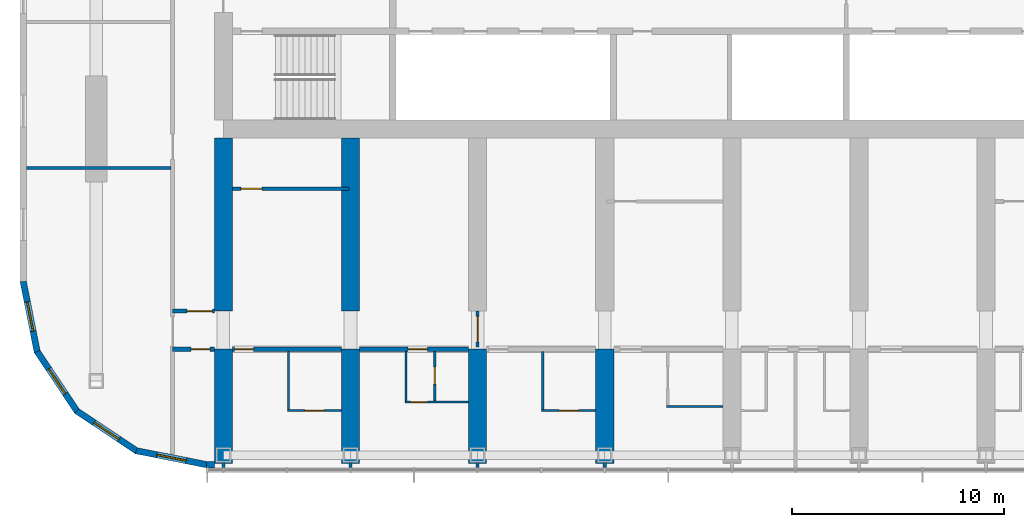
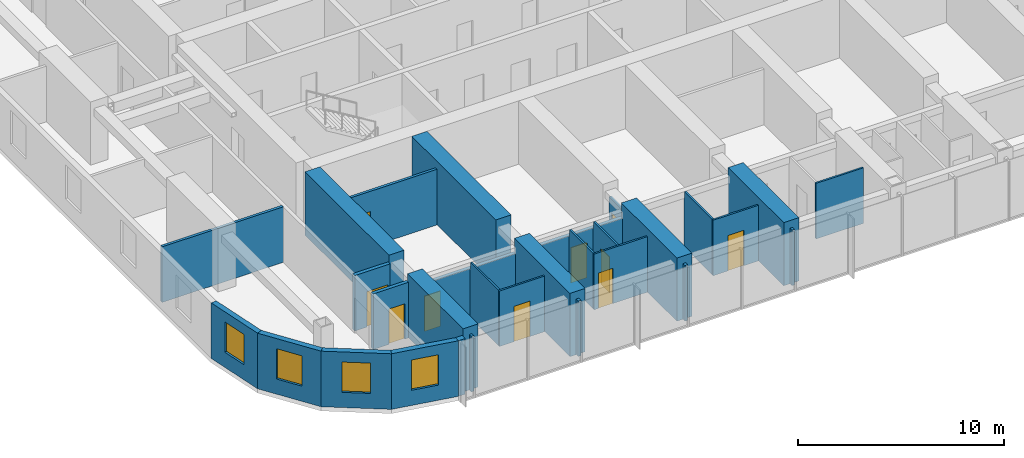
# One storey, part 10 of 23: 30 walls, 10 doors, 4 windows, 14 openings.
"""IFC4 building model written with IfcOpenShell, lengths in metres."""

from ifc_helpers import new_model, si_unit, direction, frame, frame_2d, origin, place, context, subcontext, project, spatial, polyline, rectangle, outline, extrude, material, layer, layer_set, type_object, element, fill, save


model = new_model("IFC4")

# Units and contexts
model_context = context("Model", 3, precision=1e-05, world=origin(), true_north=direction((0.0, 1.0)))
body_context = subcontext(model_context, "Body", "Model", "MODEL_VIEW")
ifc_project = project(units=[si_unit("LENGTHUNIT", "METRE"), si_unit("AREAUNIT", "SQUARE_METRE"), si_unit("VOLUMEUNIT", "CUBIC_METRE"), si_unit("PLANEANGLEUNIT", "RADIAN"), si_unit("MASSUNIT", "GRAM", prefix="KILO")], contexts=[model_context])

# Site, building, storey
site_placement = place(None, origin())
site = spatial("IfcSite", under=ifc_project, at=site_placement, CompositionType="ELEMENT")
building_placement = place(site_placement, origin())
building = spatial("IfcBuilding", under=site, at=building_placement, Name="Orbita Commons", CompositionType="ELEMENT")
storey_placement = place(building_placement, frame((0.0, 0.0, 174.85009765625)))
storey = spatial("IfcBuildingStorey", under=building, at=storey_placement, Name="L43", CompositionType="ELEMENT", Elevation=174.85009765625)

# Wall, opening, door
ifc_material_1 = material(Name="Concrete blockwork", Category="masonry")
ifc_layer_1 = layer(ifc_material_1, 0.199951171875)
ifc_layer_set_1 = layer_set([ifc_layer_1], Name="Concrete blockwork")
wall_type_1 = type_object("IfcWallType", Name="Corridor wall 200 blockwork", PredefinedType="SOLIDWALL", material=ifc_layer_set_1)
wall_1_placement = place(storey_placement, frame((15.60009765625, 15.39990234375, 0.0), z_axis=(0.0, 0.0, 1.0), x_axis=(1.0, 0.0, 0.0)))
wall_1 = element("IfcWall", 1, at=wall_1_placement, inside=storey, type_object=wall_type_1, Name="Corridor wall 200 blockwork L43", PredefinedType="SOLIDWALL", context=body_context, shape_type="SweptSolid", body=[
    extrude(rectangle(XDim=1.974853515625, YDim=0.199951171875, at=frame_2d((0.9873046875, 0.0))), origin(), (0.0, 0.0, 1.0), 3.2998046875),
])
opening_1_placement = place(wall_1_placement, frame((0.875, 0.0, 0.0)))
opening_1 = element("IfcOpeningElement", 2, at=opening_1_placement, cuts=wall_1, Name="Opening D05", PredefinedType="OPENING", context=body_context, shape_type="SweptSolid", body=[
    extrude(rectangle(XDim=0.89990234375, YDim=2.10009765625, at=frame_2d((0.449951171875, 1.050048828125))), frame((0.0, 0.10986328125, 0.0), z_axis=(0.0, -1.0, 0.0), x_axis=(1.0, 0.0, 0.0)), (0.0, 0.0, 1.0), 0.219970703125),
])
ifc_material_2 = material(Name="Steel-faced fire door leaf", Category="steel")
door_type_1 = type_object("IfcDoorType", Name="Service door 20 min 900x2100", OperationType="SINGLE_SWING_LEFT", PredefinedType="DOOR", material=ifc_material_2)
door_1_placement = place(opening_1_placement, origin())
door_1 = element("IfcDoor", 3, at=door_1_placement, inside=storey, type_object=door_type_1, Name="Linen store L43-KWS door", OperationType="SINGLE_SWING_LEFT", OverallHeight=2.10009765625, OverallWidth=0.89990234375, PredefinedType="DOOR", context=body_context, shape_type="SweptSolid", body=[
    extrude(rectangle(XDim=0.89990234375, YDim=2.10009765625, at=frame_2d((0.449951171875, 1.050048828125))), frame((0.0, 0.02490234375, 0.0), z_axis=(0.0, -1.0, 0.0), x_axis=(1.0, 0.0, 0.0)), (0.0, 0.0, 1.0), 0.050048828125),
])
fill(opening_1, door_1)

wall_2_placement = place(storey_placement, frame((18.425048828125, 15.39990234375, 0.0), z_axis=(0.0, 0.0, 1.0), x_axis=(1.0, 0.0, 0.0)))
wall_2 = element("IfcWall", 4, at=wall_2_placement, inside=storey, type_object=wall_type_1, Name="Corridor wall 200 blockwork L43", PredefinedType="SOLIDWALL", context=body_context, shape_type="SweptSolid", body=[
    extrude(outline(polyline([(0.0, 0.0), (5.14990234375, 0.0), (5.14990234375, 2.89990234375), (0.0, 2.89990234375), (0.0, 0.0)])), frame((0.0, 0.10009765625, 0.0), z_axis=(0.0, -1.0, 0.0), x_axis=(1.0, 0.0, 0.0)), (0.0, 0.0, 1.0), 0.199951171875),
])
opening_2_placement = place(wall_2_placement, frame((0.10009765625, 0.0, 0.0)))
opening_2 = element("IfcOpeningElement", 5, at=opening_2_placement, cuts=wall_2, Name="Opening D11", PredefinedType="OPENING", context=body_context, shape_type="SweptSolid", body=[
    extrude(rectangle(XDim=0.89990234375, YDim=2.10009765625, at=frame_2d((0.449951171875, 1.050048828125))), frame((0.0, 0.10986328125, 0.0), z_axis=(0.0, -1.0, 0.0), x_axis=(1.0, 0.0, 0.0)), (0.0, 0.0, 1.0), 0.219970703125),
])
ifc_material_3 = material(Name="Steel-faced fire door leaf", Category="steel")
door_type_2 = type_object("IfcDoorType", Name="Corridor door 20 min 900x2100", OperationType="SINGLE_SWING_LEFT", PredefinedType="DOOR", material=ifc_material_3)
door_2_placement = place(opening_2_placement, origin())
door_2 = element("IfcDoor", 6, at=door_2_placement, inside=storey, type_object=door_type_2, Name="Twin room L43-S00 door", OperationType="SINGLE_SWING_LEFT", OverallHeight=2.10009765625, OverallWidth=0.89990234375, PredefinedType="DOOR", context=body_context, shape_type="SweptSolid", body=[
    extrude(rectangle(XDim=0.89990234375, YDim=2.10009765625, at=frame_2d((0.449951171875, 1.050048828125))), frame((0.0, 0.02490234375, 0.0), z_axis=(0.0, -1.0, 0.0), x_axis=(1.0, 0.0, 0.0)), (0.0, 0.0, 1.0), 0.050048828125),
])
fill(opening_2, door_2)

wall_3_placement = place(storey_placement, frame((24.425048828125, 15.39990234375, 0.0), z_axis=(0.0, 0.0, 1.0), x_axis=(1.0, 0.0, 0.0)))
wall_3 = element("IfcWall", 7, at=wall_3_placement, inside=storey, type_object=wall_type_1, Name="Corridor wall 200 blockwork L43", PredefinedType="SOLIDWALL", context=body_context, shape_type="SweptSolid", body=[
    extrude(outline(polyline([(0.0, 0.0), (5.14990234375, 0.0), (5.14990234375, 2.89990234375), (0.0, 2.89990234375), (0.0, 0.0)])), frame((0.0, 0.10009765625, 0.0), z_axis=(0.0, -1.0, 0.0), x_axis=(1.0, 0.0, 0.0)), (0.0, 0.0, 1.0), 0.199951171875),
])
opening_3_placement = place(wall_3_placement, frame((2.300048828125, 0.0, 0.0)))
opening_3 = element("IfcOpeningElement", 8, at=opening_3_placement, cuts=wall_3, Name="Opening D11", PredefinedType="OPENING", context=body_context, shape_type="SweptSolid", body=[
    extrude(rectangle(XDim=0.89990234375, YDim=2.10009765625, at=frame_2d((0.449951171875, 1.050048828125))), frame((0.0, 0.10986328125, 0.0), z_axis=(0.0, -1.0, 0.0), x_axis=(1.0, 0.0, 0.0)), (0.0, 0.0, 1.0), 0.219970703125),
])
door_3_placement = place(opening_3_placement, origin())
door_3 = element("IfcDoor", 9, at=door_3_placement, inside=storey, type_object=door_type_2, Name="Studio flat L43-S02 entrance door", OperationType="SINGLE_SWING_LEFT", OverallHeight=2.10009765625, OverallWidth=0.89990234375, PredefinedType="DOOR", context=body_context, shape_type="SweptSolid", body=[
    extrude(rectangle(XDim=0.89990234375, YDim=2.10009765625, at=frame_2d((0.449951171875, 1.050048828125))), frame((0.0, 0.02490234375, 0.0), z_axis=(0.0, -1.0, 0.0), x_axis=(1.0, 0.0, 0.0)), (0.0, 0.0, 1.0), 0.050048828125),
])
fill(opening_3, door_3)

ifc_material_4 = material(Name="Hollow concrete block 200", Category="concrete")
ifc_layer_2 = layer(ifc_material_4, 0.199951171875)
ifc_layer_set_2 = layer_set([ifc_layer_2], Name="Hollow concrete block 200")
wall_type_2 = type_object("IfcWallType", Name="Corridor wall 200 hollow concrete block", PredefinedType="SOLIDWALL", material=ifc_layer_set_2)
wall_4_placement = place(storey_placement, frame((15.60009765625, 17.199951171875, 0.0), z_axis=(0.0, 0.0, 1.0), x_axis=(1.0, 0.0, 0.0)))
wall_4 = element("IfcWall", 10, at=wall_4_placement, inside=storey, type_object=wall_type_2, Name="Corridor wall 200 hollow concrete block L43", PredefinedType="SOLIDWALL", context=body_context, shape_type="SweptSolid", body=[
    extrude(rectangle(XDim=1.974853515625, YDim=0.199951171875, at=frame_2d((0.9873046875, 0.0))), origin(), (0.0, 0.0, 1.0), 3.2998046875),
])
opening_4_placement = place(wall_4_placement, frame((0.675048828125, 0.0, 0.0)))
opening_4 = element("IfcOpeningElement", 11, at=opening_4_placement, cuts=wall_4, Name="Opening D12", PredefinedType="OPENING", context=body_context, shape_type="SweptSolid", body=[
    extrude(rectangle(XDim=1.199951171875, YDim=2.10009765625, at=frame_2d((0.60009765625, 1.050048828125))), frame((0.0, 0.10986328125, 0.0), z_axis=(0.0, -1.0, 0.0), x_axis=(1.0, 0.0, 0.0)), (0.0, 0.0, 1.0), 0.219970703125),
])
ifc_material_5 = material(Name="Steel-faced fire door leaf", Category="steel")
door_type_3 = type_object("IfcDoorType", Name="Double corridor door 20 min 1200x2100", OperationType="DOUBLE_DOOR_SINGLE_SWING", PredefinedType="DOOR", material=ifc_material_5)
door_4_placement = place(opening_4_placement, origin())
door_4 = element("IfcDoor", 12, at=door_4_placement, inside=storey, type_object=door_type_3, Name="Cross corridor doors", OperationType="DOUBLE_DOOR_SINGLE_SWING", OverallHeight=2.10009765625, OverallWidth=1.199951171875, PredefinedType="DOOR", context=body_context, shape_type="SweptSolid", body=[
    extrude(rectangle(XDim=1.199951171875, YDim=2.10009765625, at=frame_2d((0.60009765625, 1.050048828125))), frame((0.0, 0.02490234375, 0.0), z_axis=(0.0, -1.0, 0.0), x_axis=(1.0, 0.0, 0.0)), (0.0, 0.0, 1.0), 0.050048828125),
])
fill(opening_4, door_4)

# Walls
ifc_material_6 = material(Name="Concrete C50/60", Category="concrete")
ifc_layer_3 = layer(ifc_material_6, 0.85009765625)
ifc_layer_set_3 = layer_set([ifc_layer_3], Name="Concrete C50/60")
wall_type_3 = type_object("IfcWallType", Name="Cross wall 850 C50/60", PredefinedType="SHEAR", material=ifc_layer_set_3)
wall_5_placement = place(storey_placement, frame((18.0, 10.0, 0.0), z_axis=(0.0, 0.0, 1.0), x_axis=(0.0, 1.0, 0.0)))
element("IfcWall", 13, at=wall_5_placement, inside=storey, type_object=wall_type_3, Name="Cross wall 4 south outer L43", PredefinedType="SHEAR", context=body_context, shape_type="SweptSolid", body=[
    extrude(rectangle(XDim=5.39990234375, YDim=0.85009765625, at=frame_2d((2.699951171875, 0.0))), origin(), (0.0, 0.0, 1.0), 3.75),
])
wall_6_placement = place(storey_placement, frame((18.0, 17.199951171875, 0.0), z_axis=(0.0, 0.0, 1.0), x_axis=(0.0, 1.0, 0.0)))
element("IfcWall", 14, at=wall_6_placement, inside=storey, type_object=wall_type_3, Name="Cross wall 4 south inner L43", PredefinedType="SHEAR", context=body_context, shape_type="SweptSolid", body=[
    extrude(rectangle(XDim=8.175048828125, YDim=0.85009765625, at=frame_2d((4.08740234375, 0.0))), origin(), (0.0, 0.0, 1.0), 3.75),
])
wall_7_placement = place(storey_placement, frame((24.0, 10.0, 0.0), z_axis=(0.0, 0.0, 1.0), x_axis=(0.0, 1.0, 0.0)))
element("IfcWall", 15, at=wall_7_placement, inside=storey, type_object=wall_type_3, Name="Cross wall 5 south outer L43", PredefinedType="SHEAR", context=body_context, shape_type="SweptSolid", body=[
    extrude(rectangle(XDim=5.39990234375, YDim=0.85009765625, at=frame_2d((2.699951171875, 0.0))), origin(), (0.0, 0.0, 1.0), 3.75),
])
wall_8_placement = place(storey_placement, frame((24.0, 17.199951171875, 0.0), z_axis=(0.0, 0.0, 1.0), x_axis=(0.0, 1.0, 0.0)))
element("IfcWall", 16, at=wall_8_placement, inside=storey, type_object=wall_type_3, Name="Cross wall 5 south inner L43", PredefinedType="SHEAR", context=body_context, shape_type="SweptSolid", body=[
    extrude(rectangle(XDim=8.175048828125, YDim=0.85009765625, at=frame_2d((4.08740234375, 0.0))), origin(), (0.0, 0.0, 1.0), 3.75),
])
for number, where, z_axis, x_axis, name in (
    (17, (30.0, 10.0, 0.0), (0.0, 0.0, 1.0), (0.0, 1.0, 0.0), "Cross wall 6 south outer L43"),
    (18, (36.0, 10.0, 0.0), (0.0, 0.0, 1.0), (0.0, 1.0, 0.0), "Cross wall 7 south outer L43"),
):
    element("IfcWall", number, at=place(storey_placement, frame(where, z_axis=z_axis, x_axis=x_axis)), inside=storey, type_object=wall_type_3, Name=name, PredefinedType="SHEAR", context=body_context, shape_type="SweptSolid", body=[
        extrude(rectangle(XDim=5.39990234375, YDim=0.85009765625, at=frame_2d((2.699951171875, 0.0))), origin(), (0.0, 0.0, 1.0), 3.75),
    ])

# Wall, opening, door
ifc_material_7 = material(Name="Moisture-resistant plasterboard on steel studs", Category="steel")
ifc_layer_4 = layer(ifc_material_7, 0.10009765625)
ifc_layer_set_4 = layer_set([ifc_layer_4], Name="Moisture-resistant plasterboard on steel studs")
wall_type_4 = type_object("IfcWallType", Name="En-suite partition 100", PredefinedType="PARTITIONING", material=ifc_layer_set_4)
wall_9_placement = place(storey_placement, frame((23.574951171875, 12.5, 0.0), z_axis=(0.0, 0.0, 1.0), x_axis=(-1.0, 0.0, 0.0)))
wall_9 = element("IfcWall", 19, at=wall_9_placement, inside=storey, type_object=wall_type_4, Name="En-suite partition 100 L43", PredefinedType="PARTITIONING", context=body_context, shape_type="SweptSolid", body=[
    extrude(rectangle(XDim=2.550048828125, YDim=0.10009765625, at=frame_2d((1.27490234375, 0.0))), origin(), (0.0, 0.0, 1.0), 3.2998046875),
])
opening_5_placement = place(wall_9_placement, frame((0.824951171875, 0.0, 0.0)))
opening_5 = element("IfcOpeningElement", 20, at=opening_5_placement, cuts=wall_9, Name="Opening D09", PredefinedType="OPENING", context=body_context, shape_type="SweptSolid", body=[
    extrude(rectangle(XDim=0.89990234375, YDim=2.10009765625, at=frame_2d((0.449951171875, 1.050048828125))), frame((0.0, 0.06005859375, 0.0), z_axis=(0.0, -1.0, 0.0), x_axis=(1.0, 0.0, 0.0)), (0.0, 0.0, 1.0), 0.1201171875),
])
ifc_material_8 = material(Name="Laminated timber door leaf", Category="wood")
door_type_4 = type_object("IfcDoorType", Name="En-suite door 900x2100", OperationType="SINGLE_SWING_RIGHT", PredefinedType="DOOR", material=ifc_material_8)
door_5_placement = place(opening_5_placement, origin())
door_5 = element("IfcDoor", 21, at=door_5_placement, inside=storey, type_object=door_type_4, Name="En-suite L43-S00 door", OperationType="SINGLE_SWING_RIGHT", OverallHeight=2.10009765625, OverallWidth=0.89990234375, PredefinedType="DOOR", context=body_context, shape_type="SweptSolid", body=[
    extrude(rectangle(XDim=0.89990234375, YDim=2.10009765625, at=frame_2d((0.449951171875, 1.050048828125))), frame((0.0, 0.02490234375, 0.0), z_axis=(0.0, -1.0, 0.0), x_axis=(1.0, 0.0, 0.0)), (0.0, 0.0, 1.0), 0.050048828125),
])
fill(opening_5, door_5)

# Wall
wall_10_placement = place(storey_placement, frame((21.074951171875, 12.550048828125, 0.0), z_axis=(0.0, 0.0, 1.0), x_axis=(0.0, 1.0, 0.0)))
element("IfcWall", 22, at=wall_10_placement, inside=storey, type_object=wall_type_4, Name="En-suite partition 100 L43", PredefinedType="PARTITIONING", context=body_context, shape_type="SweptSolid", body=[
    extrude(outline(polyline([(0.0, 0.0), (2.75, 0.0), (2.75, 2.89990234375), (2.701904296875, 2.89990234375), (2.699951171875, 3.2998046875), (0.0, 3.2998046875), (0.0, 0.0)])), frame((0.0, 0.050048828125, 0.0), z_axis=(0.0, -1.0, 0.0), x_axis=(1.0, 0.0, 0.0)), (0.0, 0.0, 1.0), 0.10009765625),
])

# Wall, opening, door
wall_11_placement = place(storey_placement, frame((29.574951171875, 12.89990234375, 0.0), z_axis=(0.0, 0.0, 1.0), x_axis=(-1.0, 0.0, 0.0)))
wall_11 = element("IfcWall", 23, at=wall_11_placement, inside=storey, type_object=wall_type_4, Name="En-suite partition 100 L43", PredefinedType="PARTITIONING", context=body_context, shape_type="SweptSolid", body=[
    extrude(rectangle(XDim=3.0, YDim=0.10009765625, at=frame_2d((1.5, 0.0))), origin(), (0.0, 0.0, 1.0), 3.2998046875),
])
opening_6_placement = place(wall_11_placement, frame((1.949951171875, 0.0, 0.0)))
opening_6 = element("IfcOpeningElement", 24, at=opening_6_placement, cuts=wall_11, Name="Opening D16", PredefinedType="OPENING", context=body_context, shape_type="SweptSolid", body=[
    extrude(rectangle(XDim=0.800048828125, YDim=2.10009765625, at=frame_2d((0.39990234375, 1.050048828125))), frame((0.0, 0.06005859375, 0.0), z_axis=(0.0, -1.0, 0.0), x_axis=(1.0, 0.0, 0.0)), (0.0, 0.0, 1.0), 0.1201171875),
])
ifc_material_9 = material(Name="Laminated timber door leaf", Category="wood")
door_type_5 = type_object("IfcDoorType", Name="En-suite door 800x2100", OperationType="SINGLE_SWING_RIGHT", PredefinedType="DOOR", material=ifc_material_9)
door_6_placement = place(opening_6_placement, origin())
door_6 = element("IfcDoor", 25, at=door_6_placement, inside=storey, type_object=door_type_5, Name="Studio flat L43-S02 door", OperationType="SINGLE_SWING_RIGHT", OverallHeight=2.10009765625, OverallWidth=0.800048828125, PredefinedType="DOOR", context=body_context, shape_type="SweptSolid", body=[
    extrude(rectangle(XDim=0.800048828125, YDim=2.10009765625, at=frame_2d((0.39990234375, 1.050048828125))), frame((0.0, 0.02490234375, 0.0), z_axis=(0.0, -1.0, 0.0), x_axis=(1.0, 0.0, 0.0)), (0.0, 0.0, 1.0), 0.050048828125),
])
fill(opening_6, door_6)

# Wall
wall_12_placement = place(storey_placement, frame((26.625, 12.949951171875, 0.0), z_axis=(0.0, 0.0, 1.0), x_axis=(0.0, 1.0, 0.0)))
element("IfcWall", 26, at=wall_12_placement, inside=storey, type_object=wall_type_4, Name="En-suite partition 100 L43", PredefinedType="PARTITIONING", context=body_context, shape_type="SweptSolid", body=[
    extrude(outline(polyline([(0.0, 0.0), (2.35009765625, 0.0), (2.35009765625, 2.89990234375), (2.302001953125, 2.89990234375), (2.300048828125, 3.2998046875), (0.0, 3.2998046875), (0.0, 0.0)])), frame((0.0, 0.050048828125, 0.0), z_axis=(0.0, -1.0, 0.0), x_axis=(1.0, 0.0, 0.0)), (0.0, 0.0, 1.0), 0.10009765625),
])

# Wall, opening, door
wall_13_placement = place(storey_placement, frame((27.97509765625, 12.949951171875, 0.0), z_axis=(0.0, 0.0, 1.0), x_axis=(0.0, 1.0, 0.0)))
wall_13 = element("IfcWall", 27, at=wall_13_placement, inside=storey, type_object=wall_type_4, Name="En-suite partition 100 L43", PredefinedType="PARTITIONING", context=body_context, shape_type="SweptSolid", body=[
    extrude(outline(polyline([(0.0, 0.0), (2.35009765625, 0.0), (2.35009765625, 2.89990234375), (2.302001953125, 2.89990234375), (2.300048828125, 3.2998046875), (0.0, 3.2998046875), (0.0, 0.0)])), frame((0.0, 0.050048828125, 0.0), z_axis=(0.0, -1.0, 0.0), x_axis=(1.0, 0.0, 0.0)), (0.0, 0.0, 1.0), 0.10009765625),
])
opening_7_placement = place(wall_13_placement, frame((0.800048828125, 0.0, 0.0)))
opening_7 = element("IfcOpeningElement", 28, at=opening_7_placement, cuts=wall_13, Name="Opening D16", PredefinedType="OPENING", context=body_context, shape_type="SweptSolid", body=[
    extrude(rectangle(XDim=0.800048828125, YDim=2.10009765625, at=frame_2d((0.39990234375, 1.050048828125))), frame((0.0, 0.06005859375, 0.0), z_axis=(0.0, -1.0, 0.0), x_axis=(1.0, 0.0, 0.0)), (0.0, 0.0, 1.0), 0.1201171875),
])
door_7_placement = place(opening_7_placement, origin())
door_7 = element("IfcDoor", 29, at=door_7_placement, inside=storey, type_object=door_type_5, Name="Studio flat shower room L43-S02 door", OperationType="SINGLE_SWING_RIGHT", OverallHeight=2.10009765625, OverallWidth=0.800048828125, PredefinedType="DOOR", context=body_context, shape_type="SweptSolid", body=[
    extrude(rectangle(XDim=0.800048828125, YDim=2.10009765625, at=frame_2d((0.39990234375, 1.050048828125))), frame((0.0, 0.02490234375, 0.0), z_axis=(0.0, -1.0, 0.0), x_axis=(1.0, 0.0, 0.0)), (0.0, 0.0, 1.0), 0.050048828125),
])
fill(opening_7, door_7)

wall_14_placement = place(storey_placement, frame((35.574951171875, 12.5, 0.0), z_axis=(0.0, 0.0, 1.0), x_axis=(-1.0, 0.0, 0.0)))
wall_14 = element("IfcWall", 30, at=wall_14_placement, inside=storey, type_object=wall_type_4, Name="En-suite partition 100 L43", PredefinedType="PARTITIONING", context=body_context, shape_type="SweptSolid", body=[
    extrude(rectangle(XDim=2.550048828125, YDim=0.10009765625, at=frame_2d((1.27490234375, 0.0))), origin(), (0.0, 0.0, 1.0), 3.2998046875),
])
opening_8_placement = place(wall_14_placement, frame((0.824951171875, 0.0, 0.0)))
opening_8 = element("IfcOpeningElement", 31, at=opening_8_placement, cuts=wall_14, Name="Opening D09", PredefinedType="OPENING", context=body_context, shape_type="SweptSolid", body=[
    extrude(rectangle(XDim=0.89990234375, YDim=2.10009765625, at=frame_2d((0.449951171875, 1.050048828125))), frame((0.0, 0.06005859375, 0.0), z_axis=(0.0, -1.0, 0.0), x_axis=(1.0, 0.0, 0.0)), (0.0, 0.0, 1.0), 0.1201171875),
])
door_8_placement = place(opening_8_placement, origin())
door_8 = element("IfcDoor", 32, at=door_8_placement, inside=storey, type_object=door_type_4, Name="En-suite L43-S04 door", OperationType="SINGLE_SWING_RIGHT", OverallHeight=2.10009765625, OverallWidth=0.89990234375, PredefinedType="DOOR", context=body_context, shape_type="SweptSolid", body=[
    extrude(rectangle(XDim=0.89990234375, YDim=2.10009765625, at=frame_2d((0.449951171875, 1.050048828125))), frame((0.0, 0.02490234375, 0.0), z_axis=(0.0, -1.0, 0.0), x_axis=(1.0, 0.0, 0.0)), (0.0, 0.0, 1.0), 0.050048828125),
])
fill(opening_8, door_8)

# Walls
wall_15_placement = place(storey_placement, frame((33.074951171875, 12.550048828125, 0.0), z_axis=(0.0, 0.0, 1.0), x_axis=(0.0, 1.0, 0.0)))
element("IfcWall", 33, at=wall_15_placement, inside=storey, type_object=wall_type_4, Name="En-suite partition 100 L43", PredefinedType="PARTITIONING", context=body_context, shape_type="SweptSolid", body=[
    extrude(outline(polyline([(0.0, 0.0), (2.75, 0.0), (2.75, 2.89990234375), (2.701904296875, 2.89990234375), (2.699951171875, 3.2998046875), (0.0, 3.2998046875), (0.0, 0.0)])), frame((0.0, 0.050048828125, 0.0), z_axis=(0.0, -1.0, 0.0), x_axis=(1.0, 0.0, 0.0)), (0.0, 0.0, 1.0), 0.10009765625),
])
wall_16_placement = place(storey_placement, frame((38.925048828125, 12.699951171875, 0.0), z_axis=(0.0, 0.0, 1.0), x_axis=(1.0, 0.0, 0.0)))
element("IfcWall", 34, at=wall_16_placement, inside=storey, type_object=wall_type_4, Name="En-suite partition 100 L43", PredefinedType="PARTITIONING", context=body_context, shape_type="SweptSolid", body=[
    extrude(rectangle(XDim=2.64990234375, YDim=0.10009765625, at=frame_2d((1.324951171875, 0.0))), origin(), (0.0, 0.0, 1.0), 3.2998046875),
])

# Wall, opening, door
ifc_material_10 = material(Name="Gypsum plasterboard on steel studs", Category="steel")
ifc_layer_5 = layer(ifc_material_10, 0.14990234375)
ifc_layer_set_5 = layer_set([ifc_layer_5], Name="Gypsum plasterboard on steel studs")
wall_type_5 = type_object("IfcWallType", Name="Partition 150 plasterboard", PredefinedType="PARTITIONING", material=ifc_layer_set_5)
wall_17_placement = place(storey_placement, frame((18.425048828125, 22.97509765625, 0.0), z_axis=(0.0, 0.0, 1.0), x_axis=(1.0, 0.0, 0.0)))
wall_17 = element("IfcWall", 35, at=wall_17_placement, inside=storey, type_object=wall_type_5, Name="Partition 150 plasterboard L43", PredefinedType="PARTITIONING", context=body_context, shape_type="SweptSolid", body=[
    extrude(rectangle(XDim=5.5, YDim=0.14990234375, at=frame_2d((2.75, 0.0))), origin(), (0.0, 0.0, 1.0), 3.2998046875),
])
opening_9_placement = place(wall_17_placement, frame((0.39990234375, 0.0, 0.0)))
opening_9 = element("IfcOpeningElement", 36, at=opening_9_placement, cuts=wall_17, Name="Opening D18", PredefinedType="OPENING", context=body_context, shape_type="SweptSolid", body=[
    extrude(rectangle(XDim=1.0, YDim=2.10009765625, at=frame_2d((0.5, 1.050048828125))), frame((0.0, 0.0849609375, 0.0), z_axis=(0.0, -1.0, 0.0), x_axis=(1.0, 0.0, 0.0)), (0.0, 0.0, 1.0), 0.169921875),
])
ifc_material_11 = material(Name="Steel-faced fire door leaf", Category="steel")
door_type_6 = type_object("IfcDoorType", Name="Service door 20 min 1000x2100", OperationType="SINGLE_SWING_LEFT", PredefinedType="DOOR", material=ifc_material_11)
door_9_placement = place(opening_9_placement, origin())
door_9 = element("IfcDoor", 37, at=door_9_placement, inside=storey, type_object=door_type_6, Name="Cleaners store L43-BDS18 door", OperationType="SINGLE_SWING_LEFT", OverallHeight=2.10009765625, OverallWidth=1.0, PredefinedType="DOOR", context=body_context, shape_type="SweptSolid", body=[
    extrude(rectangle(XDim=1.0, YDim=2.10009765625, at=frame_2d((0.5, 1.050048828125))), frame((0.0, 0.02490234375, 0.0), z_axis=(0.0, -1.0, 0.0), x_axis=(1.0, 0.0, 0.0)), (0.0, 0.0, 1.0), 0.050048828125),
])
fill(opening_9, door_9)

wall_18_placement = place(storey_placement, frame((30.0, 15.5, 0.0), z_axis=(0.0, 0.0, 1.0), x_axis=(0.0, 1.0, 0.0)))
wall_18 = element("IfcWall", 38, at=wall_18_placement, inside=storey, type_object=wall_type_5, Name="Partition 150 plasterboard L43", PredefinedType="PARTITIONING", context=body_context, shape_type="SweptSolid", body=[
    extrude(outline(polyline([(0.0, 0.0), (1.699951171875, 0.0), (1.699951171875, 2.89990234375), (0.0, 2.89990234375), (0.0, 0.0)])), frame((0.0, 0.074951171875, 0.0), z_axis=(0.0, -1.0, 0.0), x_axis=(1.0, 0.0, 0.0)), (0.0, 0.0, 1.0), 0.14990234375),
])
opening_10_placement = place(wall_18_placement, frame((0.25, 0.0, 0.0)))
opening_10 = element("IfcOpeningElement", 39, at=opening_10_placement, cuts=wall_18, Name="Opening D12", PredefinedType="OPENING", context=body_context, shape_type="SweptSolid", body=[
    extrude(rectangle(XDim=1.199951171875, YDim=2.10009765625, at=frame_2d((0.60009765625, 1.050048828125))), frame((0.0, 0.0849609375, 0.0), z_axis=(0.0, -1.0, 0.0), x_axis=(1.0, 0.0, 0.0)), (0.0, 0.0, 1.0), 0.169921875),
])
door_10_placement = place(opening_10_placement, origin())
door_10 = element("IfcDoor", 40, at=door_10_placement, inside=storey, type_object=door_type_3, Name="Social spine south screen doors", OperationType="DOUBLE_DOOR_SINGLE_SWING", OverallHeight=2.10009765625, OverallWidth=1.199951171875, PredefinedType="DOOR", context=body_context, shape_type="SweptSolid", body=[
    extrude(rectangle(XDim=1.199951171875, YDim=2.10009765625, at=frame_2d((0.60009765625, 1.050048828125))), frame((0.0, 0.02490234375, 0.0), z_axis=(0.0, -1.0, 0.0), x_axis=(1.0, 0.0, 0.0)), (0.0, 0.0, 1.0), 0.050048828125),
])
fill(opening_10, door_10)

# Walls
wall_19_placement = place(storey_placement, frame((8.705078125, 23.9599609375, 0.0), z_axis=(0.0, 0.0, 1.0), x_axis=(1.0, 0.0, 0.0)))
element("IfcWall", 41, at=wall_19_placement, inside=storey, type_object=wall_type_5, Name="Partition 150 plasterboard L43", PredefinedType="PARTITIONING", context=body_context, shape_type="SweptSolid", body=[
    extrude(rectangle(XDim=6.81982421875, YDim=0.14990234375, at=frame_2d((3.409912109375, 0.0))), origin(), (0.0, 0.0, 1.0), 3.2998046875),
])
for number, where, z_axis, x_axis, name in (
    (42, (18.0, 10.050048828125, 0.0), (0.0, 0.0, 1.0), (0.0, -1.0, 0.0), "Partition 150 plasterboard L43"),
    (43, (24.0, 10.050048828125, 0.0), (0.0, 0.0, 1.0), (0.0, -1.0, 0.0), "Partition 150 plasterboard L43"),
    (44, (30.0, 10.050048828125, 0.0), (0.0, 0.0, 1.0), (0.0, -1.0, 0.0), "Partition 150 plasterboard L43"),
    (45, (36.0, 10.050048828125, 0.0), (0.0, 0.0, 1.0), (0.0, -1.0, 0.0), "Partition 150 plasterboard L43"),
):
    element("IfcWall", number, at=place(storey_placement, frame(where, z_axis=z_axis, x_axis=x_axis)), inside=storey, type_object=wall_type_5, Name=name, PredefinedType="PARTITIONING", context=body_context, shape_type="SweptSolid", body=[
        extrude(rectangle(XDim=0.239990234375, YDim=0.14990234375, at=frame_2d((0.1201171875, 0.0))), origin(), (0.0, 0.0, 1.0), 3.2998046875),
    ])

# Wall, opening, window
ifc_material_12 = material(Name="Precast concrete C40/50, white board-marked finish", Category="concrete")
ifc_layer_6 = layer(ifc_material_12, 0.300048828125)
ifc_layer_set_6 = layer_set([ifc_layer_6], Name="Precast concrete C40/50, white board-marked finish")
wall_type_6 = type_object("IfcWallType", Name="Precast concrete end shield 300", PredefinedType="SOLIDWALL", material=ifc_layer_set_6)
wall_20_placement = place(storey_placement, frame((8.550048828125, 18.60009765625, 0.0), z_axis=(0.0, 0.0, 1.0), x_axis=(0.19508664885, -0.980786011034, 0.0)))
wall_20 = element("IfcWall", 46, at=wall_20_placement, inside=storey, type_object=wall_type_6, Name="End shield SW chord 1 L43", PredefinedType="SOLIDWALL", context=body_context, shape_type="SweptSolid", body=[
    extrude(outline(polyline([(-0.014892578125, -0.14990234375), (3.405029296875, -0.14990234375), (3.345458984375, 0.14990234375), (0.014892578125, 0.14990234375), (-0.014892578125, -0.14990234375)])), origin(), (0.0, 0.0, 1.0), 3.2998046875),
])
opening_11_placement = place(wall_20_placement, frame((0.987548828125, 0.0, 0.89990234375)))
opening_11 = element("IfcOpeningElement", 47, at=opening_11_placement, cuts=wall_20, Name="Opening W02", PredefinedType="OPENING", context=body_context, shape_type="SweptSolid", body=[
    extrude(rectangle(XDim=1.39990234375, YDim=1.800048828125, at=frame_2d((0.699951171875, 0.89990234375))), frame((0.0, 0.159912109375, 0.0), z_axis=(0.0, -1.0, 0.0), x_axis=(1.0, 0.0, 0.0)), (0.0, 0.0, 1.0), 0.320068359375),
])
ifc_material_13 = material(Name="Aluminium frame, clear double glazing", Category="aluminium")
window_type = type_object("IfcWindowType", Name="Deep-set window 1400x1800", PartitioningType="SINGLE_PANEL", PredefinedType="WINDOW", material=ifc_material_13)
window_1_placement = place(opening_11_placement, origin())
window_1 = element("IfcWindow", 48, at=window_1_placement, inside=storey, type_object=window_type, Name="Window L43-SW0", OverallHeight=1.800048828125, OverallWidth=1.39990234375, PartitioningType="SINGLE_PANEL", PredefinedType="WINDOW", context=body_context, shape_type="SweptSolid", body=[
    extrude(rectangle(XDim=1.39990234375, YDim=1.800048828125, at=frame_2d((0.699951171875, 0.89990234375))), frame((0.0, 0.030029296875, 0.0), z_axis=(0.0, -1.0, 0.0), x_axis=(1.0, 0.0, 0.0)), (0.0, 0.0, 1.0), 0.06005859375),
])
fill(opening_11, window_1)

wall_21_placement = place(storey_placement, frame((9.20849609375, 15.289794921875, 0.0), z_axis=(0.0, 0.0, 1.0), x_axis=(0.555534554399, -0.831493450887, 0.0)))
wall_21 = element("IfcWall", 49, at=wall_21_placement, inside=storey, type_object=wall_type_6, Name="End shield SW chord 2 L43", PredefinedType="SOLIDWALL", context=body_context, shape_type="SweptSolid", body=[
    extrude(outline(polyline([(-0.02978515625, -0.14990234375), (3.405029296875, -0.14990234375), (3.345458984375, 0.14990234375), (0.02978515625, 0.14990234375), (-0.02978515625, -0.14990234375)])), origin(), (0.0, 0.0, 1.0), 3.2998046875),
])
opening_12_placement = place(wall_21_placement, frame((0.987548828125, 0.0, 0.89990234375)))
opening_12 = element("IfcOpeningElement", 50, at=opening_12_placement, cuts=wall_21, Name="Opening W02", PredefinedType="OPENING", context=body_context, shape_type="SweptSolid", body=[
    extrude(rectangle(XDim=1.39990234375, YDim=1.800048828125, at=frame_2d((0.699951171875, 0.89990234375))), frame((0.0, 0.159912109375, 0.0), z_axis=(0.0, -1.0, 0.0), x_axis=(1.0, 0.0, 0.0)), (0.0, 0.0, 1.0), 0.320068359375),
])
window_2_placement = place(opening_12_placement, origin())
window_2 = element("IfcWindow", 51, at=window_2_placement, inside=storey, type_object=window_type, Name="Window L43-SW1", OverallHeight=1.800048828125, OverallWidth=1.39990234375, PartitioningType="SINGLE_PANEL", PredefinedType="WINDOW", context=body_context, shape_type="SweptSolid", body=[
    extrude(rectangle(XDim=1.39990234375, YDim=1.800048828125, at=frame_2d((0.699951171875, 0.89990234375))), frame((0.0, 0.030029296875, 0.0), z_axis=(0.0, -1.0, 0.0), x_axis=(1.0, 0.0, 0.0)), (0.0, 0.0, 1.0), 0.06005859375),
])
fill(opening_12, window_2)

wall_22_placement = place(storey_placement, frame((11.08349609375, 12.4833984375, 0.0), z_axis=(0.0, 0.0, 1.0), x_axis=(0.831493450887, -0.555534554399, 0.0)))
wall_22 = element("IfcWall", 52, at=wall_22_placement, inside=storey, type_object=wall_type_6, Name="End shield SW chord 3 L43", PredefinedType="SOLIDWALL", context=body_context, shape_type="SweptSolid", body=[
    extrude(outline(polyline([(-0.02978515625, -0.14990234375), (3.405029296875, -0.14990234375), (3.345458984375, 0.14990234375), (0.02978515625, 0.14990234375), (-0.02978515625, -0.14990234375)])), origin(), (0.0, 0.0, 1.0), 3.2998046875),
])
opening_13_placement = place(wall_22_placement, frame((0.987548828125, 0.0, 0.89990234375)))
opening_13 = element("IfcOpeningElement", 53, at=opening_13_placement, cuts=wall_22, Name="Opening W02", PredefinedType="OPENING", context=body_context, shape_type="SweptSolid", body=[
    extrude(rectangle(XDim=1.39990234375, YDim=1.800048828125, at=frame_2d((0.699951171875, 0.89990234375))), frame((0.0, 0.159912109375, 0.0), z_axis=(0.0, -1.0, 0.0), x_axis=(1.0, 0.0, 0.0)), (0.0, 0.0, 1.0), 0.320068359375),
])
window_3_placement = place(opening_13_placement, origin())
window_3 = element("IfcWindow", 54, at=window_3_placement, inside=storey, type_object=window_type, Name="Window L43-SW2", OverallHeight=1.800048828125, OverallWidth=1.39990234375, PartitioningType="SINGLE_PANEL", PredefinedType="WINDOW", context=body_context, shape_type="SweptSolid", body=[
    extrude(rectangle(XDim=1.39990234375, YDim=1.800048828125, at=frame_2d((0.699951171875, 0.89990234375))), frame((0.0, 0.030029296875, 0.0), z_axis=(0.0, -1.0, 0.0), x_axis=(1.0, 0.0, 0.0)), (0.0, 0.0, 1.0), 0.06005859375),
])
fill(opening_13, window_3)

wall_23_placement = place(storey_placement, frame((13.889892578125, 10.6083984375, 0.0), z_axis=(0.0, 0.0, 1.0), x_axis=(0.98078325777, -0.195100490205, 0.0)))
wall_23 = element("IfcWall", 55, at=wall_23_placement, inside=storey, type_object=wall_type_6, Name="End shield SW chord 4 L43", PredefinedType="SOLIDWALL", context=body_context, shape_type="SweptSolid", body=[
    extrude(outline(polyline([(-0.02978515625, -0.14990234375), (3.40478515625, -0.14990234375), (3.34521484375, 0.14990234375), (0.02978515625, 0.14990234375), (-0.02978515625, -0.14990234375)])), origin(), (0.0, 0.0, 1.0), 3.2998046875),
])
opening_14_placement = place(wall_23_placement, frame((0.987548828125, 0.0, 0.89990234375)))
opening_14 = element("IfcOpeningElement", 56, at=opening_14_placement, cuts=wall_23, Name="Opening W02", PredefinedType="OPENING", context=body_context, shape_type="SweptSolid", body=[
    extrude(rectangle(XDim=1.39990234375, YDim=1.800048828125, at=frame_2d((0.699951171875, 0.89990234375))), frame((0.0, 0.159912109375, 0.0), z_axis=(0.0, -1.0, 0.0), x_axis=(1.0, 0.0, 0.0)), (0.0, 0.0, 1.0), 0.320068359375),
])
window_4_placement = place(opening_14_placement, origin())
window_4 = element("IfcWindow", 57, at=window_4_placement, inside=storey, type_object=window_type, Name="Window L43-SW3", OverallHeight=1.800048828125, OverallWidth=1.39990234375, PartitioningType="SINGLE_PANEL", PredefinedType="WINDOW", context=body_context, shape_type="SweptSolid", body=[
    extrude(rectangle(XDim=1.39990234375, YDim=1.800048828125, at=frame_2d((0.699951171875, 0.89990234375))), frame((0.0, 0.030029296875, 0.0), z_axis=(0.0, -1.0, 0.0), x_axis=(1.0, 0.0, 0.0)), (0.0, 0.0, 1.0), 0.06005859375),
])
fill(opening_14, window_4)

# Wall
wall_24_placement = place(storey_placement, frame((17.199951171875, 9.949951171875, 0.0), z_axis=(0.0, 0.0, 1.0), x_axis=(1.0, 0.0, 0.0)))
element("IfcWall", 58, at=wall_24_placement, inside=storey, type_object=wall_type_6, Name="End shield SW closer L43", PredefinedType="SOLIDWALL", context=body_context, shape_type="SweptSolid", body=[
    extrude(rectangle(XDim=0.375, YDim=0.300048828125, at=frame_2d((0.1875, 0.0))), origin(), (0.0, 0.0, 1.0), 3.2998046875),
])

save(model, "model.ifc")
